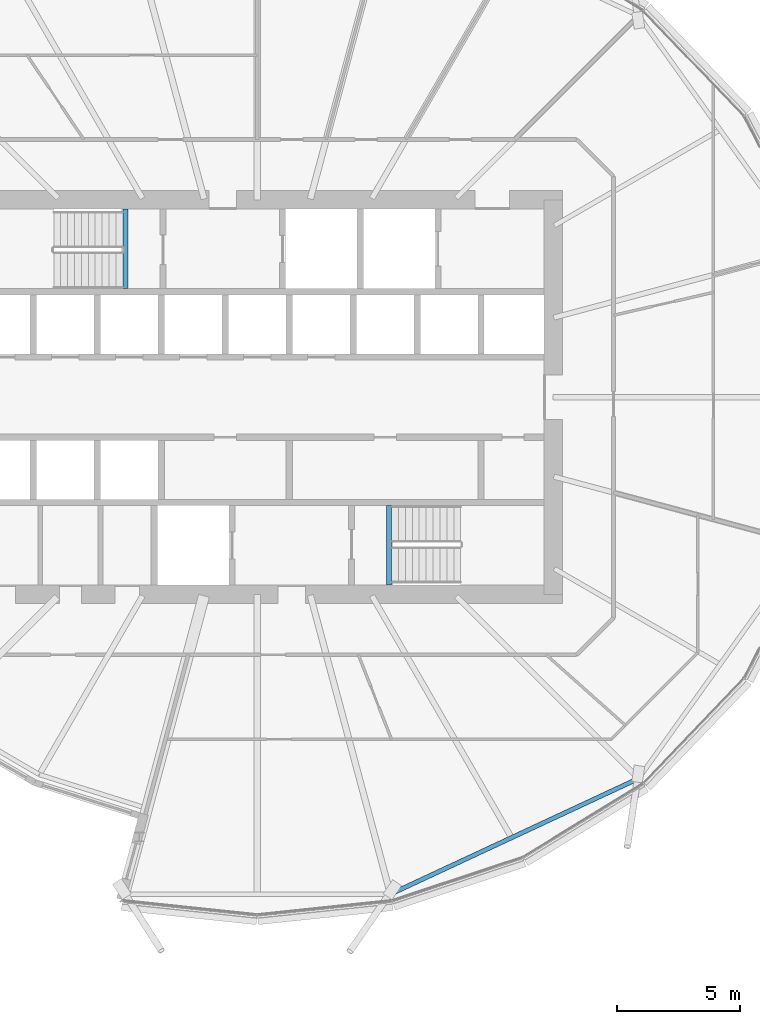
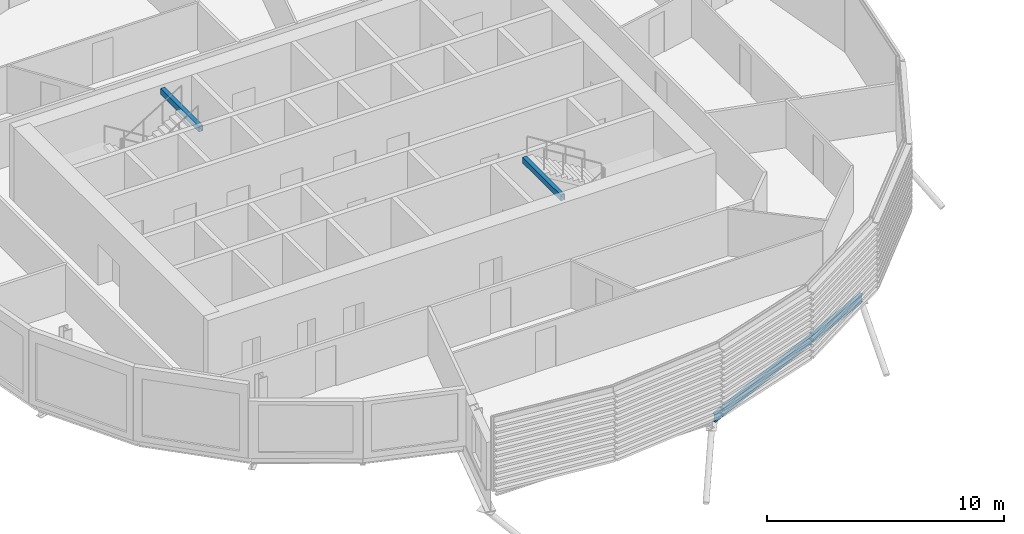
# One storey, part 6 of 39: 3 beams.
"""IFC4 building model written with IfcOpenShell, lengths in metres."""

from ifc_helpers import new_model, si_unit, direction, frame, origin, origin_2d, place, context, subcontext, project, spatial, hollow_rectangle, i_section, extrude, material, material_profile, profile_set, type_object, element, save


model = new_model("IFC4")

# Units and contexts
model_context = context("Model", 3, precision=1e-05, world=origin(), true_north=direction((0.0, 1.0)))
body_context = subcontext(model_context, "Body", "Model", "MODEL_VIEW")
ifc_project = project(units=[si_unit("LENGTHUNIT", "METRE"), si_unit("AREAUNIT", "SQUARE_METRE"), si_unit("VOLUMEUNIT", "CUBIC_METRE"), si_unit("PLANEANGLEUNIT", "RADIAN"), si_unit("MASSUNIT", "GRAM", prefix="KILO")], contexts=[model_context])

# Site, building, storey
site_placement = place(None, origin())
site = spatial("IfcSite", under=ifc_project, at=site_placement, CompositionType="ELEMENT")
building_placement = place(site_placement, origin())
building = spatial("IfcBuilding", under=site, at=building_placement, Name="Rimbun Link Towers", CompositionType="ELEMENT")
storey_placement = place(building_placement, frame((0.0, 0.0, 100.60009765625)))
storey = spatial("IfcBuildingStorey", under=building, at=storey_placement, Name="L24", CompositionType="ELEMENT", Elevation=100.60009765625)

# Beams
ifc_material_1 = material(Name="Steel S355J2", Category="steel")
ifc_material_profile_1 = material_profile(ifc_material_1, hollow_rectangle(XDim=0.199951171875, YDim=0.300048828125, WallThickness=0.011962890625, at=origin_2d()), Name="BOX 300x200x12")
ifc_profile_set_1 = profile_set([ifc_material_profile_1], Name="Steel S355J2")
beam_type_1 = type_object("IfcBeamType", Name="Stair trimmer beam BOX 300x200x12", PredefinedType="BEAM", material=ifc_profile_set_1)
for number, where, z_axis, x_axis, name in (
    (1, (-37.10009765625, 7.625, 3.489990234375), (0.0, -1.0, 0.0), (1.0, 0.0, 0.0), "L24 ST1 stair beam 1"),
    (2, (-26.39990234375, -7.625, 3.489990234375), (0.0, 1.0, 0.0), (-1.0, 0.0, 0.0), "L24 ST2 stair beam 1"),
):
    element("IfcBeam", number, at=place(storey_placement, frame(where, z_axis=z_axis, x_axis=x_axis)), inside=storey, type_object=beam_type_1, Name=name, PredefinedType="BEAM", context=body_context, shape_type="SweptSolid", body=[
        extrude(hollow_rectangle(XDim=0.199951171875, YDim=0.300048828125, WallThickness=0.011962890625, at=origin_2d()), origin(), (0.0, 0.0, 1.0), 3.22509765625),
    ])
ifc_material_2 = material(Name="Steel S355J2", Category="steel")
ifc_material_profile_2 = material_profile(ifc_material_2, i_section(OverallWidth=0.177978515625, OverallDepth=0.406494140625, WebThickness=0.0078125, FlangeThickness=0.0126953125, at=origin_2d()), Name="UB 406x178x60")
ifc_profile_set_2 = profile_set([ifc_material_profile_2], Name="Steel S355J2")
beam_type_2 = type_object("IfcBeamType", Name="UB 406x178x60", PredefinedType="BEAM", material=ifc_profile_set_2)
beam_placement = place(storey_placement, frame((-26.231201171875, -20.10205078125, -0.36328125), z_axis=(0.906379422837, 0.422464604266, 0.0), x_axis=(-0.422464604266, 0.906379422837, 0.0)))
element("IfcBeam", 3, at=beam_placement, inside=storey, type_object=beam_type_2, Name="Edge beam T1 L24 19-21", PredefinedType="BEAM", context=body_context, shape_type="SweptSolid", body=[
    extrude(i_section(OverallWidth=0.177978515625, OverallDepth=0.406494140625, WebThickness=0.0078125, FlangeThickness=0.0126953125, at=origin_2d()), origin(), (0.0, 0.0, 1.0), 10.862060546875),
])

save(model, "model.ifc")
